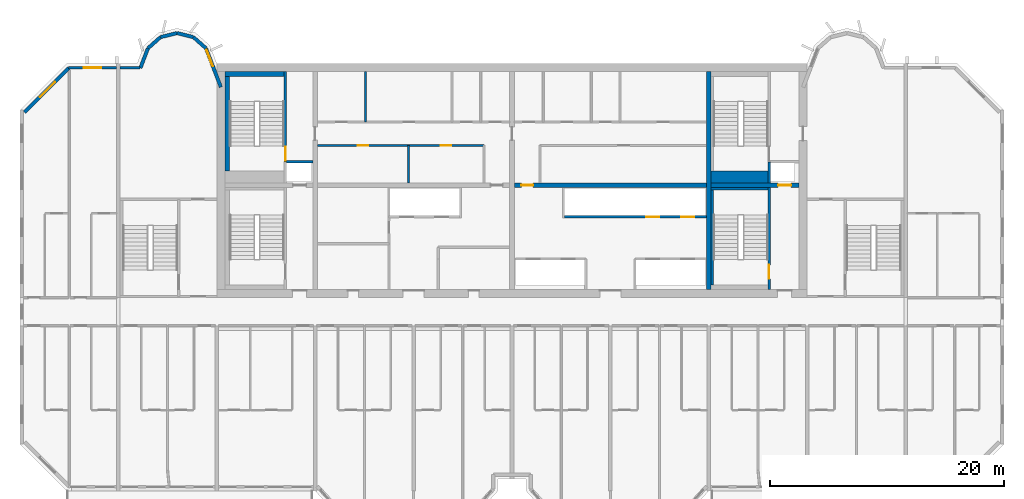
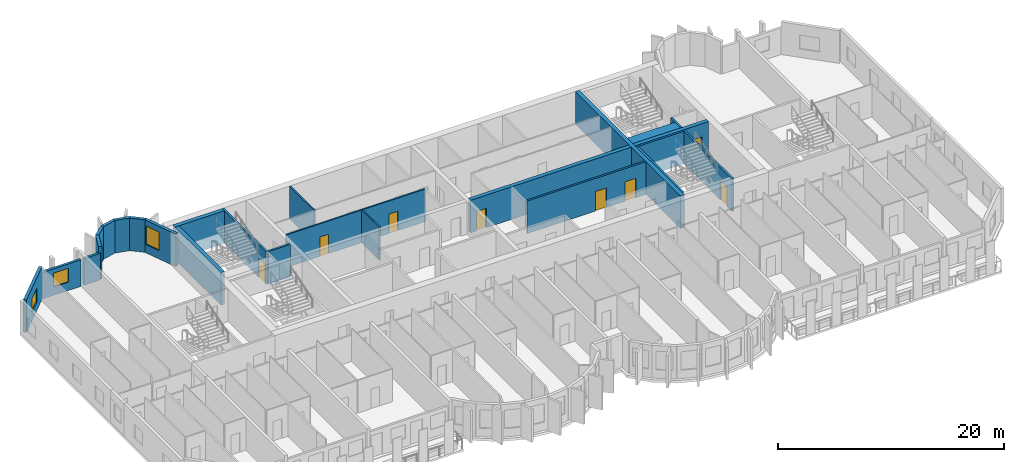
# One storey, part 7 of 13: 25 walls, 8 doors, 3 windows, 11 openings.
"""IFC4 building model written with IfcOpenShell, lengths in metres."""

from ifc_helpers import new_model, si_unit, direction, frame, frame_2d, origin, place, context, subcontext, project, spatial, rectangle, extrude, source, transform, mapped, material, layer, layer_set, type_object, element, fill, save


model = new_model("IFC4")

# Units and contexts
model_context = context("Model", 3, precision=1e-05, world=origin(), true_north=direction((0.0, 1.0)))
body_context = subcontext(model_context, "Body", "Model", "MODEL_VIEW")
ifc_project = project(units=[si_unit("LENGTHUNIT", "METRE"), si_unit("AREAUNIT", "SQUARE_METRE"), si_unit("VOLUMEUNIT", "CUBIC_METRE"), si_unit("PLANEANGLEUNIT", "RADIAN"), si_unit("MASSUNIT", "GRAM", prefix="KILO")], contexts=[model_context])

# Site, building, storey
site_placement = place(None, origin())
site = spatial("IfcSite", under=ifc_project, at=site_placement, CompositionType="ELEMENT")
building_placement = place(site_placement, origin())
building = spatial("IfcBuilding", under=site, at=building_placement, Name="Vanashikhar Sky Hotel", CompositionType="ELEMENT")
storey_placement = place(building_placement, frame((0.0, 0.0, 178.199951171875)))
storey = spatial("IfcBuildingStorey", under=building, at=storey_placement, Name="L43", CompositionType="ELEMENT", Elevation=178.199951171875)

# Wall
ifc_material_1 = material(Name="Concrete M60", Category="concrete")
ifc_layer_1 = layer(ifc_material_1, 0.39990234375)
ifc_layer_set_1 = layer_set([ifc_layer_1], Name="RC core inner wall 400 Concrete M60")
wall_type_1 = type_object("IfcWallType", Name="RC core inner wall 400 Concrete M60", PredefinedType="SHEAR", material=ifc_layer_set_1)
shared_shape_1 = source(origin(), body_context, "Body", "SweptSolid", [
    extrude(rectangle(XDim=18.60009765625, YDim=0.39990234375, at=frame_2d((9.300048828125, 0.0))), origin(), (0.0, 0.0, 1.0), 3.52001953125),
])
wall_1_placement = place(storey_placement, frame((67.199951171875, 22.699951171875, 0.0), z_axis=(0.0, 0.0, 1.0), x_axis=(0.0, 1.0, 0.0)))
element("IfcWall", 1, at=wall_1_placement, inside=storey, type_object=wall_type_1, Name="KW-L43-KX3", PredefinedType="SHEAR", context=body_context, shape_type="MappedRepresentation", body=[
    mapped(shared_shape_1, transform((0.0, 0.0, 0.0), scale=1.0)),
])

# Wall, opening, door
shared_shape_2 = source(origin(), body_context, "Body", "SweptSolid", [
    extrude(rectangle(XDim=7.5, YDim=0.39990234375, at=frame_2d((3.75, 0.0))), origin(), (0.0, 0.0, 1.0), 3.52001953125),
])
wall_2_placement = place(storey_placement, frame((67.39990234375, 31.60009765625, 0.0), z_axis=(0.0, 0.0, 1.0), x_axis=(1.0, 0.0, 0.0)))
wall_2 = element("IfcWall", 2, at=wall_2_placement, inside=storey, type_object=wall_type_1, Name="KW-L43-KY4", PredefinedType="SHEAR", context=body_context, shape_type="MappedRepresentation", body=[
    mapped(shared_shape_2, transform((0.0, 0.0, 0.0), scale=1.0)),
])
shared_shape_3 = source(origin(), body_context, "Body", "SweptSolid", [
    extrude(rectangle(XDim=1.10009765625, YDim=2.10009765625, at=frame_2d((0.550048828125, 1.050048828125))), frame((0.0, 0.2099609375, 0.0), z_axis=(0.0, -1.0, 0.0), x_axis=(1.0, 0.0, 0.0)), (0.0, 0.0, 1.0), 0.419921875),
])
opening_1_placement = place(wall_2_placement, frame((5.72509765625, 0.0, 0.0)))
opening_1 = element("IfcOpeningElement", 3, at=opening_1_placement, cuts=wall_2, Name="Opening LD", PredefinedType="OPENING", context=body_context, shape_type="MappedRepresentation", body=[
    mapped(shared_shape_3, transform((0.0, 0.0, 0.0), scale=1.0)),
])
ifc_material_2 = material(Name="Stainless steel", Category="steel")
door_type_1 = type_object("IfcDoorType", Name="Lift landing door 1100", OperationType="NOTDEFINED", PredefinedType="DOOR", material=ifc_material_2)
shared_shape_4 = source(origin(), body_context, "Body", "SweptSolid", [
    extrude(rectangle(XDim=1.10009765625, YDim=2.10009765625, at=frame_2d((0.550048828125, 1.050048828125))), frame((0.0, 0.02490234375, 0.0), z_axis=(0.0, -1.0, 0.0), x_axis=(1.0, 0.0, 0.0)), (0.0, 0.0, 1.0), 0.050048828125),
])
door_1_placement = place(opening_1_placement, origin())
door_1 = element("IfcDoor", 4, at=door_1_placement, inside=storey, type_object=door_type_1, Name="Lift landing door 1100", OperationType="SLIDING_TO_LEFT", OverallHeight=2.10009765625, OverallWidth=1.10009765625, PredefinedType="DOOR", context=body_context, shape_type="MappedRepresentation", body=[
    mapped(shared_shape_4, transform((0.0, 0.0, 0.0), scale=1.0)),
])
fill(opening_1, door_1)

shared_shape_5 = source(origin(), body_context, "Body", "SweptSolid", [
    extrude(rectangle(XDim=16.39990234375, YDim=0.39990234375, at=frame_2d((8.199951171875, 0.0))), origin(), (0.0, 0.0, 1.0), 3.52001953125),
])
wall_3_placement = place(storey_placement, frame((50.60009765625, 31.60009765625, 0.0), z_axis=(0.0, 0.0, 1.0), x_axis=(1.0, 0.0, 0.0)))
wall_3 = element("IfcWall", 5, at=wall_3_placement, inside=storey, type_object=wall_type_1, Name="KW-L43-KY3", PredefinedType="SHEAR", context=body_context, shape_type="MappedRepresentation", body=[
    mapped(shared_shape_5, transform((0.0, 0.0, 0.0), scale=1.0)),
])
shared_shape_6 = source(origin(), body_context, "Body", "SweptSolid", [
    extrude(rectangle(XDim=1.0, YDim=2.10009765625, at=frame_2d((0.5, 1.050048828125))), frame((0.0, 0.2099609375, 0.0), z_axis=(0.0, -1.0, 0.0), x_axis=(1.0, 0.0, 0.0)), (0.0, 0.0, 1.0), 0.419921875),
])
opening_2_placement = place(wall_3_placement, frame((0.60009765625, 0.0, 0.0)))
opening_2 = element("IfcOpeningElement", 6, at=opening_2_placement, cuts=wall_3, Name="Opening DC-4", PredefinedType="OPENING", context=body_context, shape_type="MappedRepresentation", body=[
    mapped(shared_shape_6, transform((0.0, 0.0, 0.0), scale=1.0)),
])
ifc_material_3 = material(Name="Steel", Category="steel")
door_type_2 = type_object("IfcDoorType", Name="Service door 1000 FD60", OperationType="NOTDEFINED", PredefinedType="DOOR", material=ifc_material_3)
shared_shape_7 = source(origin(), body_context, "Body", "SweptSolid", [
    extrude(rectangle(XDim=1.0, YDim=2.10009765625, at=frame_2d((0.5, 1.050048828125))), frame((0.0, 0.02490234375, 0.0), z_axis=(0.0, -1.0, 0.0), x_axis=(1.0, 0.0, 0.0)), (0.0, 0.0, 1.0), 0.050048828125),
])
door_2_placement = place(opening_2_placement, origin())
door_2 = element("IfcDoor", 7, at=door_2_placement, inside=storey, type_object=door_type_2, Name="Service door 1000 FD60", OperationType="SINGLE_SWING_RIGHT", OverallHeight=2.10009765625, OverallWidth=1.0, PredefinedType="DOOR", context=body_context, shape_type="MappedRepresentation", body=[
    mapped(shared_shape_7, transform((0.0, 0.0, 0.0), scale=1.0)),
])
fill(opening_2, door_2)

# Wall, opening, window
ifc_material_4 = material(Name="Concrete M50", Category="concrete")
ifc_layer_2 = layer(ifc_material_4, 0.300048828125)
ifc_layer_set_2 = layer_set([ifc_layer_2], Name="Lobe wall 300")
wall_type_2 = type_object("IfcWallType", Name="Lobe wall 300", PredefinedType="SOLIDWALL", material=ifc_layer_set_2)
shared_shape_8 = source(origin(), body_context, "Body", "SweptSolid", [
    extrude(rectangle(XDim=5.32568359375, YDim=0.300048828125, at=frame_2d((2.662841796875, 0.0))), origin(), (0.0, 0.0, 1.0), 3.52001953125),
])
wall_4_placement = place(storey_placement, frame((12.565673828125, 41.60009765625, 0.0), z_axis=(0.0, 0.0, 1.0), x_axis=(-0.707083859269, -0.707129702361, 0.0)))
wall_4 = element("IfcWall", 8, at=wall_4_placement, inside=storey, type_object=wall_type_2, Name="Corner wall", PredefinedType="SOLIDWALL", context=body_context, shape_type="MappedRepresentation", body=[
    mapped(shared_shape_8, transform((0.0, 0.0, 0.0), scale=1.0)),
])
shared_shape_9 = source(origin(), body_context, "Body", "SweptSolid", [
    extrude(rectangle(XDim=1.800048828125, YDim=1.5, at=frame_2d((0.89990234375, 0.75))), frame((0.0, 0.16015625, 0.0), z_axis=(0.0, -1.0, 0.0), x_axis=(1.0, 0.0, 0.0)), (0.0, 0.0, 1.0), 0.320068359375),
])
opening_3_placement = place(wall_4_placement, frame((1.689453125, 0.0, 0.89990234375)))
opening_3 = element("IfcOpeningElement", 9, at=opening_3_placement, cuts=wall_4, Name="Opening WN-4", PredefinedType="OPENING", context=body_context, shape_type="MappedRepresentation", body=[
    mapped(shared_shape_9, transform((0.0, 0.0, 0.0), scale=1.0)),
])
ifc_material_5 = material(Name="Glass", Category="glass")
window_type_1 = type_object("IfcWindowType", Name="Corner window 1800 x 1500", PartitioningType="SINGLE_PANEL", PredefinedType="WINDOW", material=ifc_material_5)
shared_shape_10 = source(origin(), body_context, "Body", "SweptSolid", [
    extrude(rectangle(XDim=1.800048828125, YDim=1.5, at=frame_2d((0.89990234375, 0.75))), frame((0.0, 0.030029296875, 0.0), z_axis=(0.0, -1.0, 0.0), x_axis=(1.0, 0.0, 0.0)), (0.0, 0.0, 1.0), 0.06005859375),
])
window_1_placement = place(opening_3_placement, origin())
window_1 = element("IfcWindow", 10, at=window_1_placement, inside=storey, type_object=window_type_1, Name="Window WN-4", OverallHeight=1.5, OverallWidth=1.800048828125, PartitioningType="SINGLE_PANEL", PredefinedType="WINDOW", context=body_context, shape_type="MappedRepresentation", body=[
    mapped(shared_shape_10, transform((0.0, 0.0, 0.0), scale=1.0)),
])
fill(opening_3, window_1)

shared_shape_11 = source(origin(), body_context, "Body", "SweptSolid", [
    extrude(rectangle(XDim=3.55908203125, YDim=0.300048828125, at=frame_2d((1.779541015625, 0.0))), origin(), (0.0, 0.0, 1.0), 3.52001953125),
])
wall_5_placement = place(storey_placement, frame((25.550048828125, 39.968505859375, 0.0), z_axis=(0.0, 0.0, 1.0), x_axis=(-0.35779745313, 0.933799219604, 0.0)))
wall_5 = element("IfcWall", 11, at=wall_5_placement, inside=storey, type_object=wall_type_2, Name="Lobe wall", PredefinedType="SOLIDWALL", context=body_context, shape_type="MappedRepresentation", body=[
    mapped(shared_shape_11, transform((0.0, 0.0, 0.0), scale=1.0)),
])
shared_shape_12 = source(origin(), body_context, "Body", "SweptSolid", [
    extrude(rectangle(XDim=1.5, YDim=2.0, at=frame_2d((0.75, 1.0))), frame((0.0, 0.16015625, 0.0), z_axis=(0.0, -1.0, 0.0), x_axis=(1.0, 0.0, 0.0)), (0.0, 0.0, 1.0), 0.320068359375),
])
opening_4_placement = place(wall_5_placement, frame((1.9033203125, 0.0, 0.89990234375)))
opening_4 = element("IfcOpeningElement", 12, at=opening_4_placement, cuts=wall_5, Name="Opening WN-2", PredefinedType="OPENING", context=body_context, shape_type="MappedRepresentation", body=[
    mapped(shared_shape_12, transform((0.0, 0.0, 0.0), scale=1.0)),
])
window_type_2 = type_object("IfcWindowType", Name="Lobe window 1500 x 2000", PartitioningType="SINGLE_PANEL", PredefinedType="WINDOW", material=ifc_material_5)
shared_shape_13 = source(origin(), body_context, "Body", "SweptSolid", [
    extrude(rectangle(XDim=1.5, YDim=2.0, at=frame_2d((0.75, 1.0))), frame((0.0, 0.030029296875, 0.0), z_axis=(0.0, -1.0, 0.0), x_axis=(1.0, 0.0, 0.0)), (0.0, 0.0, 1.0), 0.06005859375),
])
window_2_placement = place(opening_4_placement, origin())
window_2 = element("IfcWindow", 13, at=window_2_placement, inside=storey, type_object=window_type_2, Name="Window WN-2", OverallHeight=2.0, OverallWidth=1.5, PartitioningType="SINGLE_PANEL", PredefinedType="WINDOW", context=body_context, shape_type="MappedRepresentation", body=[
    mapped(shared_shape_13, transform((0.0, 0.0, 0.0), scale=1.0)),
])
fill(opening_4, window_2)

# Walls
shared_shape_14 = source(origin(), body_context, "Body", "SweptSolid", [
    extrude(rectangle(XDim=1.440185546875, YDim=0.300048828125, at=frame_2d((0.72021484375, 0.0))), origin(), (0.0, 0.0, 1.0), 3.52001953125),
])
wall_6_placement = place(storey_placement, frame((24.276611328125, 43.2919921875, 0.0), z_axis=(0.0, 0.0, 1.0), x_axis=(-0.749649827867, 0.661834673902, 0.0)))
element("IfcWall", 14, at=wall_6_placement, inside=storey, type_object=wall_type_2, Name="Lobe wall", PredefinedType="SOLIDWALL", context=body_context, shape_type="MappedRepresentation", body=[
    mapped(shared_shape_14, transform((0.0, 0.0, 0.0), scale=1.0)),
])
shared_shape_15 = source(origin(), body_context, "Body", "SweptSolid", [
    extrude(rectangle(XDim=1.4384765625, YDim=0.300048828125, at=frame_2d((0.71923828125, 0.0))), origin(), (0.0, 0.0, 1.0), 3.52001953125),
])
wall_7_placement = place(storey_placement, frame((23.197021484375, 44.2451171875, 0.0), z_axis=(0.0, 0.0, 1.0), x_axis=(-0.971152283879, 0.238460146601, 0.0)))
element("IfcWall", 15, at=wall_7_placement, inside=storey, type_object=wall_type_2, Name="Lobe wall", PredefinedType="SOLIDWALL", context=body_context, shape_type="MappedRepresentation", body=[
    mapped(shared_shape_15, transform((0.0, 0.0, 0.0), scale=1.0)),
])
shared_shape_16 = source(origin(), body_context, "Body", "SweptSolid", [
    extrude(rectangle(XDim=1.438720703125, YDim=0.300048828125, at=frame_2d((0.71923828125, 0.0))), origin(), (0.0, 0.0, 1.0), 3.52001953125),
])
wall_8_placement = place(storey_placement, frame((21.800048828125, 44.588134765625, 0.0), z_axis=(0.0, 0.0, 1.0), x_axis=(-0.971161932466, -0.238420848351, 0.0)))
element("IfcWall", 16, at=wall_8_placement, inside=storey, type_object=wall_type_2, Name="Lobe wall", PredefinedType="SOLIDWALL", context=body_context, shape_type="MappedRepresentation", body=[
    mapped(shared_shape_16, transform((0.0, 0.0, 0.0), scale=1.0)),
])
shared_shape_17 = source(origin(), body_context, "Body", "SweptSolid", [
    extrude(rectangle(XDim=1.43994140625, YDim=0.300048828125, at=frame_2d((0.719970703125, 0.0))), origin(), (0.0, 0.0, 1.0), 3.52001953125),
])
wall_9_placement = place(storey_placement, frame((20.40283203125, 44.2451171875, 0.0), z_axis=(0.0, 0.0, 1.0), x_axis=(-0.74957555648, -0.661918790432, 0.0)))
element("IfcWall", 17, at=wall_9_placement, inside=storey, type_object=wall_type_2, Name="Lobe wall", PredefinedType="SOLIDWALL", context=body_context, shape_type="MappedRepresentation", body=[
    mapped(shared_shape_17, transform((0.0, 0.0, 0.0), scale=1.0)),
])
shared_shape_18 = source(origin(), body_context, "Body", "SweptSolid", [
    extrude(rectangle(XDim=1.81201171875, YDim=0.300048828125, at=frame_2d((0.906005859375, 0.0))), origin(), (0.0, 0.0, 1.0), 3.52001953125),
])
wall_10_placement = place(storey_placement, frame((19.323486328125, 43.2919921875, 0.0), z_axis=(0.0, 0.0, 1.0), x_axis=(-0.357877270961, -0.93376863244, 0.0)))
element("IfcWall", 18, at=wall_10_placement, inside=storey, type_object=wall_type_2, Name="Lobe wall", PredefinedType="SOLIDWALL", context=body_context, shape_type="MappedRepresentation", body=[
    mapped(shared_shape_18, transform((0.0, 0.0, 0.0), scale=1.0)),
])

# Wall, opening, window
ifc_layer_3 = layer(ifc_material_4, 0.25)
ifc_layer_set_3 = layer_set([ifc_layer_3], Name="Rear and end board-marked wall 250")
wall_type_3 = type_object("IfcWallType", Name="Rear and end board-marked wall 250", PredefinedType="SOLIDWALL", material=ifc_layer_set_3)
shared_shape_19 = source(origin(), body_context, "Body", "SweptSolid", [
    extrude(rectangle(XDim=4.094482421875, YDim=0.25, at=frame_2d((2.04736328125, 0.0))), origin(), (0.0, 0.0, 1.0), 2.8701171875),
])
wall_11_placement = place(storey_placement, frame((16.64990234375, 41.625, 0.0), z_axis=(0.0, 0.0, 1.0), x_axis=(-1.0, 0.0, 0.0)))
wall_11 = element("IfcWall", 19, at=wall_11_placement, inside=storey, type_object=wall_type_3, Name="Rear board-marked wall", PredefinedType="SOLIDWALL", context=body_context, shape_type="MappedRepresentation", body=[
    mapped(shared_shape_19, transform((0.0, 0.0, 0.0), scale=1.0)),
])
shared_shape_20 = source(origin(), body_context, "Body", "SweptSolid", [
    extrude(rectangle(XDim=1.5, YDim=1.5, at=frame_2d((0.75, 0.75))), frame((0.0, 0.135009765625, 0.0), z_axis=(0.0, -1.0, 0.0), x_axis=(1.0, 0.0, 0.0)), (0.0, 0.0, 1.0), 0.27001953125),
])
opening_5_placement = place(wall_11_placement, frame((1.29736328125, 0.0, 0.89990234375)))
opening_5 = element("IfcOpeningElement", 20, at=opening_5_placement, cuts=wall_11, Name="Opening WN-1", PredefinedType="OPENING", context=body_context, shape_type="MappedRepresentation", body=[
    mapped(shared_shape_20, transform((0.0, 0.0, 0.0), scale=1.0)),
])
window_type_3 = type_object("IfcWindowType", Name="Window 1500 x 1500", PartitioningType="SINGLE_PANEL", PredefinedType="WINDOW", material=ifc_material_5)
shared_shape_21 = source(origin(), body_context, "Body", "SweptSolid", [
    extrude(rectangle(XDim=1.5, YDim=1.5, at=frame_2d((0.75, 0.75))), frame((0.0, 0.030029296875, 0.0), z_axis=(0.0, -1.0, 0.0), x_axis=(1.0, 0.0, 0.0)), (0.0, 0.0, 1.0), 0.06005859375),
])
window_3_placement = place(opening_5_placement, origin())
window_3 = element("IfcWindow", 21, at=window_3_placement, inside=storey, type_object=window_type_3, Name="Window WN-1", OverallHeight=1.5, OverallWidth=1.5, PartitioningType="SINGLE_PANEL", PredefinedType="WINDOW", context=body_context, shape_type="MappedRepresentation", body=[
    mapped(shared_shape_21, transform((0.0, 0.0, 0.0), scale=1.0)),
])
fill(opening_5, window_3)

# Walls
shared_shape_22 = source(origin(), body_context, "Body", "SweptSolid", [
    extrude(rectangle(XDim=1.7080078125, YDim=0.25, at=frame_2d((0.85400390625, 0.0))), origin(), (0.0, 0.0, 1.0), 2.8701171875),
])
wall_12_placement = place(storey_placement, frame((18.657958984375, 41.625, 0.0), z_axis=(0.0, 0.0, 1.0), x_axis=(-1.0, 0.0, 0.0)))
element("IfcWall", 22, at=wall_12_placement, inside=storey, type_object=wall_type_3, Name="Rear board-marked wall", PredefinedType="SOLIDWALL", context=body_context, shape_type="MappedRepresentation", body=[
    mapped(shared_shape_22, transform((0.0, 0.0, 0.0), scale=1.0)),
])
ifc_material_6 = material(Name="Concrete M40", Category="concrete")
ifc_layer_4 = layer(ifc_material_6, 0.199951171875)
ifc_layer_set_4 = layer_set([ifc_layer_4], Name="Shaft wall 200")
wall_type_4 = type_object("IfcWallType", Name="Shaft wall 200", PredefinedType="SOLIDWALL", material=ifc_layer_set_4)
shared_shape_23 = source(origin(), body_context, "Body", "SweptSolid", [
    extrude(rectangle(XDim=2.25, YDim=0.199951171875, at=frame_2d((1.125, 0.0))), origin(), (0.0, 0.0, 1.0), 3.52001953125),
])
wall_13_placement = place(storey_placement, frame((31.14990234375, 33.60009765625, 0.0), z_axis=(0.0, 0.0, 1.0), x_axis=(1.0, 0.0, 0.0)))
element("IfcWall", 23, at=wall_13_placement, inside=storey, type_object=wall_type_4, Name="Shaft wall 200", PredefinedType="SOLIDWALL", context=body_context, shape_type="MappedRepresentation", body=[
    mapped(shared_shape_23, transform((0.0, 0.0, 0.0), scale=1.0)),
])
ifc_layer_5 = layer(ifc_material_4, 0.199951171875)
ifc_layer_set_5 = layer_set([ifc_layer_5], Name="Stair infill wall 200")
wall_type_5 = type_object("IfcWallType", Name="Stair infill wall 200", PredefinedType="SOLIDWALL", material=ifc_layer_set_5)
shared_shape_24 = source(origin(), body_context, "Body", "SweptSolid", [
    extrude(rectangle(XDim=8.099853515625, YDim=0.199951171875, at=frame_2d((4.0498046875, 0.0))), origin(), (0.0, 0.0, 1.0), 3.52001953125),
])
wall_14_placement = place(storey_placement, frame((67.5, 23.10009765625, 0.0), z_axis=(0.0, 0.0, 1.0), x_axis=(0.0, 1.0, 0.0)))
element("IfcWall", 24, at=wall_14_placement, inside=storey, type_object=wall_type_5, Name="Stair infill wall 200", PredefinedType="SOLIDWALL", context=body_context, shape_type="MappedRepresentation", body=[
    mapped(shared_shape_24, transform((0.0, 0.0, 0.0), scale=1.0)),
])
ifc_material_7 = material(Name="Gypsum board partition")
ifc_layer_6 = layer(ifc_material_7, 0.14990234375)
ifc_layer_set_6 = layer_set([ifc_layer_6], Name="Service partition 150")
wall_type_6 = type_object("IfcWallType", Name="Service partition 150", PredefinedType="PARTITIONING", material=ifc_layer_set_6)
shared_shape_25 = source(origin(), body_context, "Body", "SweptSolid", [
    extrude(rectangle(XDim=3.199951171875, YDim=0.14990234375, at=frame_2d((1.60009765625, 0.0))), origin(), (0.0, 0.0, 1.0), 3.52001953125),
])
wall_15_placement = place(storey_placement, frame((41.569091796875, 31.800048828125, 0.0), z_axis=(0.0, 0.0, 1.0), x_axis=(0.0, 1.0, 0.0)))
element("IfcWall", 25, at=wall_15_placement, inside=storey, type_object=wall_type_6, Name="Service partition 150", PredefinedType="PARTITIONING", context=body_context, shape_type="MappedRepresentation", body=[
    mapped(shared_shape_25, transform((0.0, 0.0, 0.0), scale=1.0)),
])

# Wall, openings, doors
shared_shape_26 = source(origin(), body_context, "Body", "SweptSolid", [
    extrude(rectangle(XDim=14.199951171875, YDim=0.14990234375, at=frame_2d((7.10009765625, 0.0))), origin(), (0.0, 0.0, 1.0), 3.52001953125),
])
wall_16_placement = place(storey_placement, frame((33.800048828125, 35.0, 0.0), z_axis=(0.0, 0.0, 1.0), x_axis=(1.0, 0.0, 0.0)))
wall_16 = element("IfcWall", 26, at=wall_16_placement, inside=storey, type_object=wall_type_6, Name="Service partition 150", PredefinedType="PARTITIONING", context=body_context, shape_type="MappedRepresentation", body=[
    mapped(shared_shape_26, transform((0.0, 0.0, 0.0), scale=1.0)),
])
shared_shape_27 = source(origin(), body_context, "Body", "SweptSolid", [
    extrude(rectangle(XDim=0.89990234375, YDim=2.10009765625, at=frame_2d((0.449951171875, 1.050048828125))), frame((0.0, 0.0849609375, 0.0), z_axis=(0.0, -1.0, 0.0), x_axis=(1.0, 0.0, 0.0)), (0.0, 0.0, 1.0), 0.169921875),
])
opening_6_placement = place(wall_16_placement, frame((3.43408203125, 0.0, 0.0)))
opening_6 = element("IfcOpeningElement", 27, at=opening_6_placement, cuts=wall_16, Name="Opening DC-4-A", PredefinedType="OPENING", context=body_context, shape_type="MappedRepresentation", body=[
    mapped(shared_shape_27, transform((0.0, 0.0, 0.0), scale=1.0)),
])
opening_7_placement = place(wall_16_placement, frame((10.4970703125, 0.0, 0.0)))
opening_7 = element("IfcOpeningElement", 28, at=opening_7_placement, cuts=wall_16, Name="Opening DC-4-A", PredefinedType="OPENING", context=body_context, shape_type="MappedRepresentation", body=[
    mapped(shared_shape_27, transform((0.0, 0.0, 0.0), scale=1.0)),
])
door_type_3 = type_object("IfcDoorType", Name="Service door 900 FD60", OperationType="NOTDEFINED", PredefinedType="DOOR", material=ifc_material_3)
shared_shape_28 = source(origin(), body_context, "Body", "SweptSolid", [
    extrude(rectangle(XDim=0.89990234375, YDim=2.10009765625, at=frame_2d((0.449951171875, 1.050048828125))), frame((0.0, 0.02490234375, 0.0), z_axis=(0.0, -1.0, 0.0), x_axis=(1.0, 0.0, 0.0)), (0.0, 0.0, 1.0), 0.050048828125),
])
door_3_placement = place(opening_6_placement, origin())
door_3 = element("IfcDoor", 29, at=door_3_placement, inside=storey, type_object=door_type_3, Name="Service door 900 FD60", OperationType="SINGLE_SWING_LEFT", OverallHeight=2.10009765625, OverallWidth=0.89990234375, PredefinedType="DOOR", context=body_context, shape_type="MappedRepresentation", body=[
    mapped(shared_shape_28, transform((0.0, 0.0, 0.0), scale=1.0)),
])
fill(opening_6, door_3)
door_4_placement = place(opening_7_placement, origin())
door_4 = element("IfcDoor", 30, at=door_4_placement, inside=storey, type_object=door_type_3, Name="Service door 900 FD60", OperationType="SINGLE_SWING_RIGHT", OverallHeight=2.10009765625, OverallWidth=0.89990234375, PredefinedType="DOOR", context=body_context, shape_type="MappedRepresentation", body=[
    mapped(shared_shape_28, transform((0.0, 0.0, 0.0), scale=1.0)),
])
fill(opening_7, door_4)

# Wall
shared_shape_29 = source(origin(), body_context, "Body", "SweptSolid", [
    extrude(rectangle(XDim=4.300048828125, YDim=0.14990234375, at=frame_2d((2.14990234375, 0.0))), origin(), (0.0, 0.0, 1.0), 3.52001953125),
])
wall_17_placement = place(storey_placement, frame((37.89990234375, 37.0, 0.0), z_axis=(0.0, 0.0, 1.0), x_axis=(0.0, 1.0, 0.0)))
element("IfcWall", 31, at=wall_17_placement, inside=storey, type_object=wall_type_6, Name="Service partition 150", PredefinedType="PARTITIONING", context=body_context, shape_type="MappedRepresentation", body=[
    mapped(shared_shape_29, transform((0.0, 0.0, 0.0), scale=1.0)),
])

# Wall, openings, doors
shared_shape_30 = source(origin(), body_context, "Body", "SweptSolid", [
    extrude(rectangle(XDim=12.10009765625, YDim=0.199951171875, at=frame_2d((6.050048828125, 0.0))), origin(), (0.0, 0.0, 1.0), 3.52001953125),
])
wall_18_placement = place(storey_placement, frame((67.0, 28.89990234375, 0.0), z_axis=(0.0, 0.0, 1.0), x_axis=(-1.0, 0.0, 0.0)))
wall_18 = element("IfcWall", 32, at=wall_18_placement, inside=storey, type_object=wall_type_4, Name="Shaft wall 200", PredefinedType="SOLIDWALL", context=body_context, shape_type="MappedRepresentation", body=[
    mapped(shared_shape_30, transform((0.0, 0.0, 0.0), scale=1.0)),
])
shared_shape_31 = source(origin(), body_context, "Body", "SweptSolid", [
    extrude(rectangle(XDim=1.10009765625, YDim=2.10009765625, at=frame_2d((0.550048828125, 1.050048828125))), frame((0.0, 0.10986328125, 0.0), z_axis=(0.0, -1.0, 0.0), x_axis=(1.0, 0.0, 0.0)), (0.0, 0.0, 1.0), 0.219970703125),
])
opening_8_placement = place(wall_18_placement, frame((1.050048828125, 0.0, 0.0)))
opening_8 = element("IfcOpeningElement", 33, at=opening_8_placement, cuts=wall_18, Name="Opening LD", PredefinedType="OPENING", context=body_context, shape_type="MappedRepresentation", body=[
    mapped(shared_shape_31, transform((0.0, 0.0, 0.0), scale=1.0)),
])
opening_9_placement = place(wall_18_placement, frame((4.050048828125, 0.0, 0.0)))
opening_9 = element("IfcOpeningElement", 34, at=opening_9_placement, cuts=wall_18, Name="Opening LD", PredefinedType="OPENING", context=body_context, shape_type="MappedRepresentation", body=[
    mapped(shared_shape_31, transform((0.0, 0.0, 0.0), scale=1.0)),
])
door_5_placement = place(opening_8_placement, origin())
door_5 = element("IfcDoor", 35, at=door_5_placement, inside=storey, type_object=door_type_1, Name="Lift landing door 1100", OperationType="SLIDING_TO_RIGHT", OverallHeight=2.10009765625, OverallWidth=1.10009765625, PredefinedType="DOOR", context=body_context, shape_type="MappedRepresentation", body=[
    mapped(shared_shape_4, transform((0.0, 0.0, 0.0), scale=1.0)),
])
fill(opening_8, door_5)
door_6_placement = place(opening_9_placement, origin())
door_6 = element("IfcDoor", 36, at=door_6_placement, inside=storey, type_object=door_type_1, Name="Lift landing door 1100", OperationType="SLIDING_TO_LEFT", OverallHeight=2.10009765625, OverallWidth=1.10009765625, PredefinedType="DOOR", context=body_context, shape_type="MappedRepresentation", body=[
    mapped(shared_shape_4, transform((0.0, 0.0, 0.0), scale=1.0)),
])
fill(opening_9, door_6)

# Wall, opening, door
ifc_layer_7 = layer(ifc_material_4, 0.199951171875)
ifc_layer_set_7 = layer_set([ifc_layer_7], Name="Stair wall 200")
wall_type_7 = type_object("IfcWallType", Name="Stair wall 200", PredefinedType="SOLIDWALL", material=ifc_layer_set_7)
shared_shape_32 = source(origin(), body_context, "Body", "SweptSolid", [
    extrude(rectangle(XDim=8.699951171875, YDim=0.199951171875, at=frame_2d((4.35009765625, 0.0))), origin(), (0.0, 0.0, 1.0), 3.52001953125),
])
wall_19_placement = place(storey_placement, frame((72.35009765625, 22.699951171875, 0.0), z_axis=(0.0, 0.0, 1.0), x_axis=(0.0, 1.0, 0.0)))
wall_19 = element("IfcWall", 37, at=wall_19_placement, inside=storey, type_object=wall_type_7, Name="Stair wall 200", PredefinedType="SOLIDWALL", context=body_context, shape_type="MappedRepresentation", body=[
    mapped(shared_shape_32, transform((0.0, 0.0, 0.0), scale=1.0)),
])
shared_shape_33 = source(origin(), body_context, "Body", "SweptSolid", [
    extrude(rectangle(XDim=1.199951171875, YDim=2.10009765625, at=frame_2d((0.60009765625, 1.050048828125))), frame((0.0, 0.10986328125, 0.0), z_axis=(0.0, -1.0, 0.0), x_axis=(1.0, 0.0, 0.0)), (0.0, 0.0, 1.0), 0.219970703125),
])
opening_10_placement = place(wall_19_placement, frame((0.89990234375, 0.0, 0.0)))
opening_10 = element("IfcOpeningElement", 38, at=opening_10_placement, cuts=wall_19, Name="Opening DC-1", PredefinedType="OPENING", context=body_context, shape_type="MappedRepresentation", body=[
    mapped(shared_shape_33, transform((0.0, 0.0, 0.0), scale=1.0)),
])
door_type_4 = type_object("IfcDoorType", Name="Stair door 1200 FD120", OperationType="NOTDEFINED", PredefinedType="DOOR", material=ifc_material_3)
shared_shape_34 = source(origin(), body_context, "Body", "SweptSolid", [
    extrude(rectangle(XDim=1.199951171875, YDim=2.10009765625, at=frame_2d((0.60009765625, 1.050048828125))), frame((0.0, 0.02490234375, 0.0), z_axis=(0.0, -1.0, 0.0), x_axis=(1.0, 0.0, 0.0)), (0.0, 0.0, 1.0), 0.050048828125),
])
door_7_placement = place(opening_10_placement, origin())
door_7 = element("IfcDoor", 39, at=door_7_placement, inside=storey, type_object=door_type_4, Name="Stair door 1200 FD120", OperationType="SINGLE_SWING_LEFT", OverallHeight=2.10009765625, OverallWidth=1.199951171875, PredefinedType="DOOR", context=body_context, shape_type="MappedRepresentation", body=[
    mapped(shared_shape_34, transform((0.0, 0.0, 0.0), scale=1.0)),
])
fill(opening_10, door_7)

# Wall
shared_shape_35 = source(origin(), body_context, "Body", "SweptSolid", [
    extrude(rectangle(XDim=1.800048828125, YDim=0.199951171875, at=frame_2d((0.89990234375, 0.0))), origin(), (0.0, 0.0, 1.0), 3.52001953125),
])
wall_20_placement = place(storey_placement, frame((72.35009765625, 31.800048828125, 0.0), z_axis=(0.0, 0.0, 1.0), x_axis=(0.0, 1.0, 0.0)))
element("IfcWall", 40, at=wall_20_placement, inside=storey, type_object=wall_type_4, Name="Shaft wall 200", PredefinedType="SOLIDWALL", context=body_context, shape_type="MappedRepresentation", body=[
    mapped(shared_shape_35, transform((0.0, 0.0, 0.0), scale=1.0)),
])

# Wall, opening, door
shared_shape_36 = source(origin(), body_context, "Body", "SweptSolid", [
    extrude(rectangle(XDim=7.699951171875, YDim=0.199951171875, at=frame_2d((3.85009765625, 0.0))), origin(), (0.0, 0.0, 1.0), 3.52001953125),
])
wall_21_placement = place(storey_placement, frame((31.050048828125, 33.60009765625, 0.0), z_axis=(0.0, 0.0, 1.0), x_axis=(0.0, 1.0, 0.0)))
wall_21 = element("IfcWall", 41, at=wall_21_placement, inside=storey, type_object=wall_type_7, Name="Stair wall 200", PredefinedType="SOLIDWALL", context=body_context, shape_type="MappedRepresentation", body=[
    mapped(shared_shape_36, transform((0.0, 0.0, 0.0), scale=1.0)),
])
opening_11_placement = place(wall_21_placement, frame((0.10009765625, 0.0, 0.0)))
opening_11 = element("IfcOpeningElement", 42, at=opening_11_placement, cuts=wall_21, Name="Opening DC-1", PredefinedType="OPENING", context=body_context, shape_type="MappedRepresentation", body=[
    mapped(shared_shape_33, transform((0.0, 0.0, 0.0), scale=1.0)),
])
door_8_placement = place(opening_11_placement, origin())
door_8 = element("IfcDoor", 43, at=door_8_placement, inside=storey, type_object=door_type_4, Name="Stair door 1200 FD120", OperationType="SINGLE_SWING_LEFT", OverallHeight=2.10009765625, OverallWidth=1.199951171875, PredefinedType="DOOR", context=body_context, shape_type="MappedRepresentation", body=[
    mapped(shared_shape_34, transform((0.0, 0.0, 0.0), scale=1.0)),
])
fill(opening_11, door_8)

# Walls
ifc_layer_8 = layer(ifc_material_4, 0.39990234375)
ifc_layer_set_8 = layer_set([ifc_layer_8], Name="Stair infill wall 400")
wall_type_8 = type_object("IfcWallType", Name="Stair infill wall 400", PredefinedType="SOLIDWALL", material=ifc_layer_set_8)
shared_shape_37 = source(origin(), body_context, "Body", "SweptSolid", [
    extrude(rectangle(XDim=5.050048828125, YDim=0.39990234375, at=frame_2d((2.52490234375, 0.0))), origin(), (0.0, 0.0, 1.0), 3.52001953125),
])
wall_22_placement = place(storey_placement, frame((25.89990234375, 41.10009765625, 0.0), z_axis=(0.0, 0.0, 1.0), x_axis=(1.0, 0.0, 0.0)))
element("IfcWall", 44, at=wall_22_placement, inside=storey, type_object=wall_type_8, Name="Stair infill wall 400", PredefinedType="SOLIDWALL", context=body_context, shape_type="MappedRepresentation", body=[
    mapped(shared_shape_37, transform((0.0, 0.0, 0.0), scale=1.0)),
])
shared_shape_38 = source(origin(), body_context, "Body", "SweptSolid", [
    extrude(rectangle(XDim=8.099853515625, YDim=0.39990234375, at=frame_2d((4.0498046875, 0.0))), origin(), (0.0, 0.0, 1.0), 3.52001953125),
])
wall_23_placement = place(storey_placement, frame((26.10009765625, 32.800048828125, 0.0), z_axis=(0.0, 0.0, 1.0), x_axis=(0.0, 1.0, 0.0)))
element("IfcWall", 45, at=wall_23_placement, inside=storey, type_object=wall_type_8, Name="Stair infill wall 400", PredefinedType="SOLIDWALL", context=body_context, shape_type="MappedRepresentation", body=[
    mapped(shared_shape_38, transform((0.0, 0.0, 0.0), scale=1.0)),
])
shared_shape_39 = source(origin(), body_context, "Body", "SweptSolid", [
    extrude(rectangle(XDim=4.85009765625, YDim=0.199951171875, at=frame_2d((2.425048828125, 0.0))), origin(), (0.0, 0.0, 1.0), 3.52001953125),
])
wall_24_placement = place(storey_placement, frame((67.39990234375, 31.300048828125, 0.0), z_axis=(0.0, 0.0, 1.0), x_axis=(1.0, 0.0, 0.0)))
element("IfcWall", 46, at=wall_24_placement, inside=storey, type_object=wall_type_5, Name="Stair infill wall 200", PredefinedType="SOLIDWALL", context=body_context, shape_type="MappedRepresentation", body=[
    mapped(shared_shape_39, transform((0.0, 0.0, 0.0), scale=1.0)),
])
ifc_layer_9 = layer(ifc_material_4, 1.0)
ifc_layer_set_9 = layer_set([ifc_layer_9], Name="Stair infill wall 1000")
wall_type_9 = type_object("IfcWallType", Name="Stair infill wall 1000", PredefinedType="SOLIDWALL", material=ifc_layer_set_9)
shared_shape_40 = source(origin(), body_context, "Body", "SweptSolid", [
    extrude(rectangle(XDim=4.85009765625, YDim=1.0, at=frame_2d((2.425048828125, 0.0))), origin(), (0.0, 0.0, 1.0), 3.52001953125),
])
wall_25_placement = place(storey_placement, frame((67.39990234375, 32.300048828125, 0.0), z_axis=(0.0, 0.0, 1.0), x_axis=(1.0, 0.0, 0.0)))
element("IfcWall", 47, at=wall_25_placement, inside=storey, type_object=wall_type_9, Name="Stair infill wall 1000", PredefinedType="SOLIDWALL", context=body_context, shape_type="MappedRepresentation", body=[
    mapped(shared_shape_40, transform((0.0, 0.0, 0.0), scale=1.0)),
])

save(model, "model.ifc")
